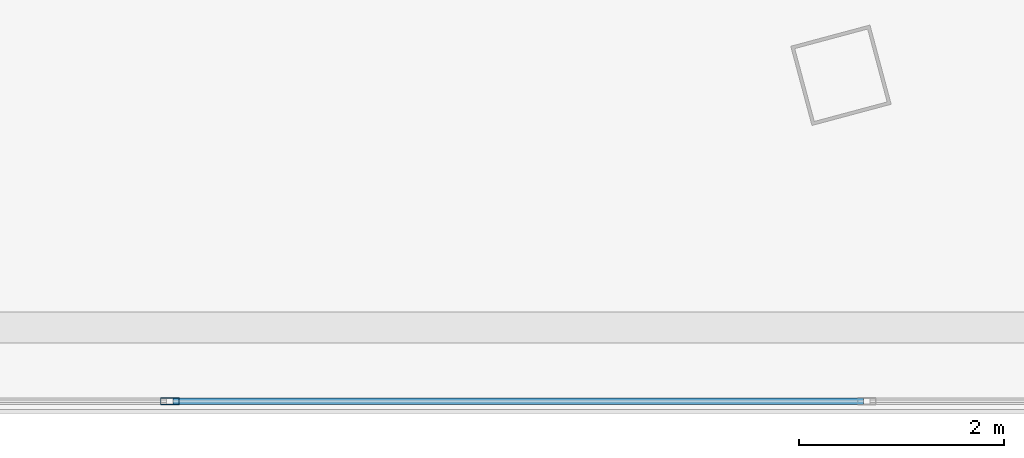
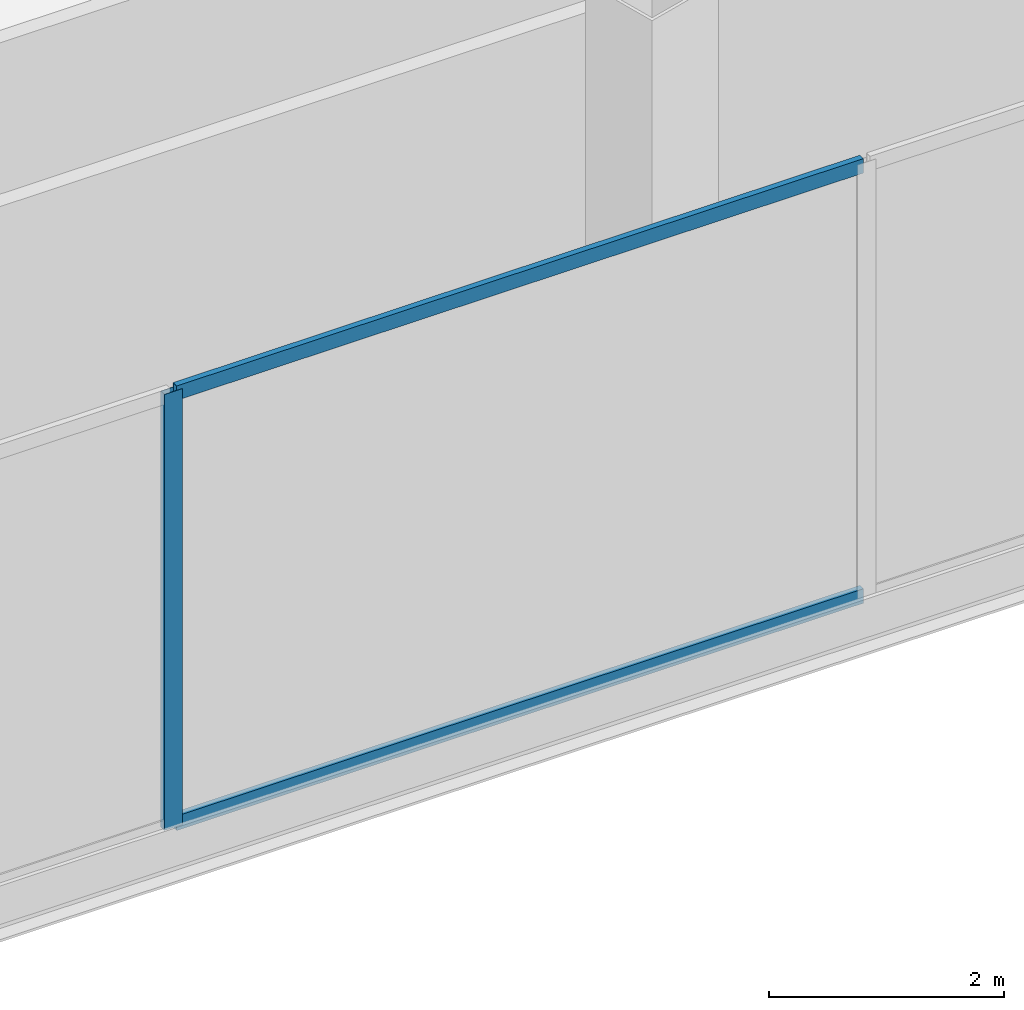
# One storey, part 9 of 27: 3 members, 1 element without a shape of its own.
"""IFC4 building model written with IfcOpenShell, lengths in metres."""

from ifc_helpers import new_model, si_unit, direction, frame, origin, origin_2d, place, context, subcontext, project, spatial, hollow_rectangle, extrude, source, transform, mapped, material, layer, layer_set, material_profile, profile_set, type_object, element, aggregate, save


model = new_model("IFC4")

# Units and contexts
model_context = context("Model", 3, precision=1e-05, world=origin(), true_north=direction((0.0, 1.0)))
body_context = subcontext(model_context, "Body", "Model", "MODEL_VIEW")
ifc_project = project(units=[si_unit("LENGTHUNIT", "METRE"), si_unit("AREAUNIT", "SQUARE_METRE"), si_unit("VOLUMEUNIT", "CUBIC_METRE"), si_unit("PLANEANGLEUNIT", "RADIAN"), si_unit("MASSUNIT", "GRAM", prefix="KILO"), si_unit("THERMODYNAMICTEMPERATUREUNIT", "KELVIN"), si_unit("POWERUNIT", "WATT")], contexts=[model_context])

# Site, building, storey
site_placement = place(None, origin())
site = spatial("IfcSite", under=ifc_project, at=site_placement, CompositionType="ELEMENT")
building_placement = place(site_placement, origin())
building = spatial("IfcBuilding", under=site, at=building_placement, Name="Yunzhuo Pagoda Commons", CompositionType="ELEMENT")
storey_placement = place(building_placement, frame((0.0, 0.0, 9.60009765625)))
storey = spatial("IfcBuildingStorey", under=building, at=storey_placement, Name="L03", CompositionType="ELEMENT", Elevation=9.60009765625)

# Curtain wall, members
ifc_material = material(Name="Anodized aluminium 6063-T6", Category="aluminium")
ifc_layer = layer(ifc_material, 0.179931640625)
ifc_layer_set = layer_set([ifc_layer], Name="Anodized aluminium 6063-T6")
curtain_wall_type = type_object("IfcCurtainWallType", Name="CW-POD Waterfront Podium Curtain Wall", PredefinedType="NOTDEFINED", material=ifc_layer_set)
curtain_wall_placement = place(storey_placement, origin())
curtain_wall = element("IfcCurtainWall", 1, at=curtain_wall_placement, inside=storey, type_object=curtain_wall_type, Name="L03 curtain wall CW-L03-S3", PredefinedType="NOTDEFINED")
ifc_material_profile_1 = material_profile(ifc_material, hollow_rectangle(XDim=0.06494140625, YDim=0.179931640625, WallThickness=0.00390625, at=origin_2d()), Name="Anodized aluminium 6063-T6")
ifc_profile_set_1 = profile_set([ifc_material_profile_1], Name="Anodized aluminium 6063-T6")
member_type_1 = type_object("IfcMemberType", Name="CW-POD-M Mullion RHS 180x65x4", PredefinedType="MULLION", material=ifc_profile_set_1)
shared_shape_1 = source(origin(), body_context, "Body", "SweptSolid", [
    extrude(hollow_rectangle(XDim=0.06494140625, YDim=0.179931640625, WallThickness=0.00390625, at=origin_2d()), origin(), (0.0, 0.0, 1.0), 4.52001953125),
])
member_1_placement = place(storey_placement, frame((48.0, 6.080078125, 0.0), z_axis=(0.0, 0.0, 1.0), x_axis=(0.0, 1.0, 0.0)))
member_1 = element("IfcMember", 2, at=member_1_placement, type_object=member_type_1, Name="CW mullion 3", PredefinedType="MULLION", context=body_context, shape_type="MappedRepresentation", body=[
    mapped(shared_shape_1, transform((0.0, 0.0, 0.0), scale=1.0)),
])
ifc_material_profile_2 = material_profile(ifc_material, hollow_rectangle(XDim=0.06005859375, YDim=0.14990234375, WallThickness=0.00390625, at=origin_2d()), Name="Anodized aluminium 6063-T6")
ifc_profile_set_2 = profile_set([ifc_material_profile_2], Name="Anodized aluminium 6063-T6")
member_type_2 = type_object("IfcMemberType", Name="CW-POD-T Transom RHS 150x60x4", PredefinedType="USERDEFINED", material=ifc_profile_set_2)
shared_shape_2 = source(origin(), body_context, "Body", "SweptSolid", [
    extrude(hollow_rectangle(XDim=0.06005859375, YDim=0.14990234375, WallThickness=0.00390625, at=origin_2d()), origin(), (0.0, 0.0, 1.0), 6.735107421875),
])
member_2_placement = place(storey_placement, frame((48.032470703125, 6.080078125, 0.02978515625), z_axis=(1.0, 0.0, 0.0), x_axis=(0.0, 1.0, 0.0)))
member_2 = element("IfcMember", 3, at=member_2_placement, type_object=member_type_2, Name="CW transom 3.1", ObjectType="TRANSOM", PredefinedType="USERDEFINED", context=body_context, shape_type="MappedRepresentation", body=[
    mapped(shared_shape_2, transform((0.0, 0.0, 0.0), scale=1.0)),
])
member_3_placement = place(storey_placement, frame((48.032470703125, 6.080078125, 4.489990234375), z_axis=(1.0, 0.0, 0.0), x_axis=(0.0, 1.0, 0.0)))
member_3 = element("IfcMember", 4, at=member_3_placement, type_object=member_type_2, Name="CW transom 3.2", ObjectType="TRANSOM", PredefinedType="USERDEFINED", context=body_context, shape_type="MappedRepresentation", body=[
    mapped(shared_shape_2, transform((0.0, 0.0, 0.0), scale=1.0)),
])
aggregate(curtain_wall, [member_1, member_2, member_3])

save(model, "model.ifc")
